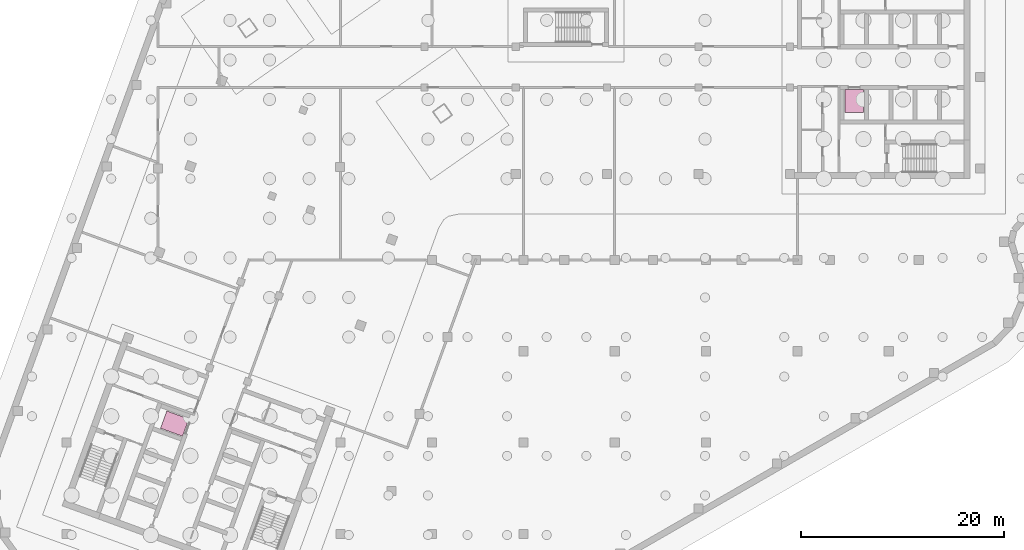
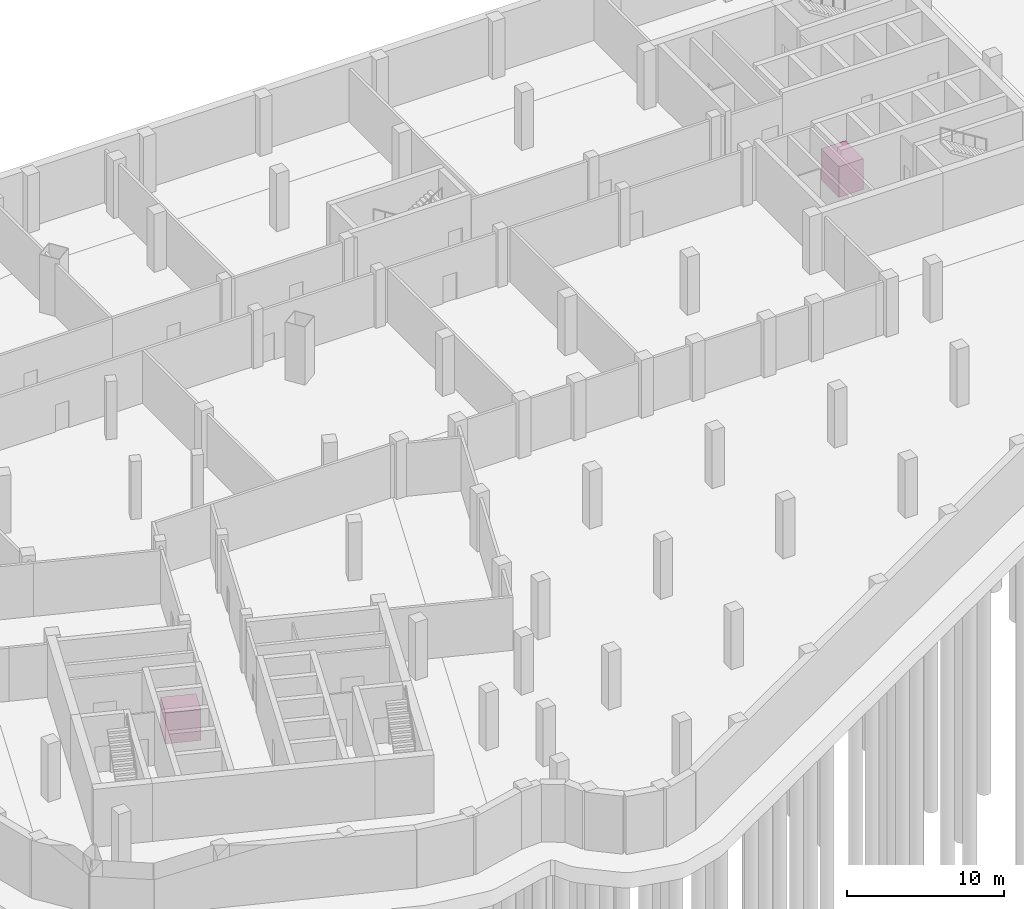
# One storey, part 18 of 18: 2 transport elements.
"""IFC4 building model written with IfcOpenShell, lengths in metres."""

from ifc_helpers import new_model, si_unit, direction, frame, origin, origin_2d, place, context, subcontext, project, spatial, rectangle, extrude, material, type_object, element, save


model = new_model("IFC4")

# Units and contexts
model_context = context("Model", 3, precision=1e-05, world=origin(), true_north=direction((0.0, 1.0)))
body_context = subcontext(model_context, "Body", "Model", "MODEL_VIEW")
ifc_project = project(units=[si_unit("LENGTHUNIT", "METRE"), si_unit("AREAUNIT", "SQUARE_METRE"), si_unit("VOLUMEUNIT", "CUBIC_METRE"), si_unit("PLANEANGLEUNIT", "RADIAN"), si_unit("MASSUNIT", "GRAM", prefix="KILO")], contexts=[model_context])

# Site, building, storey
site_placement = place(None, origin())
site = spatial("IfcSite", under=ifc_project, at=site_placement, CompositionType="ELEMENT")
building_placement = place(site_placement, origin())
building = spatial("IfcBuilding", under=site, at=building_placement, Name="Skarvind Civic Tower", CompositionType="ELEMENT")
storey_placement = place(building_placement, frame((0.0, 0.0, -9.0)))
storey = spatial("IfcBuildingStorey", under=building, at=storey_placement, Name="B2", CompositionType="ELEMENT", Elevation=-9.0)

# Transport elements
ifc_material = material(Name="Service lift car")
transport_element_type = type_object("IfcTransportElementType", Name="Service lift car", PredefinedType="ELEVATOR", material=ifc_material)
for number, where, z_axis, x_axis, name in (
    (1, (96.60009765625, 124.64990234375, 0.0), (0.0, 0.0, 1.0), (-1.0, 0.0, 0.0), "Service lift car"),
    (2, (29.650146484375, 92.87353515625, 0.0), (0.0, 0.0, 1.0), (0.342020143326, 0.939692620786, 0.0), "Service lift car"),
):
    element("IfcTransportElement", number, at=place(storey_placement, frame(where, z_axis=z_axis, x_axis=x_axis)), inside=storey, type_object=transport_element_type, Name=name, PredefinedType="ELEVATOR", context=body_context, shape_type="SweptSolid", body=[
        extrude(rectangle(XDim=1.800048828125, YDim=2.300048828125, at=origin_2d()), origin(), (0.0, 0.0, 1.0), 2.39990234375),
    ])

save(model, "model.ifc")
